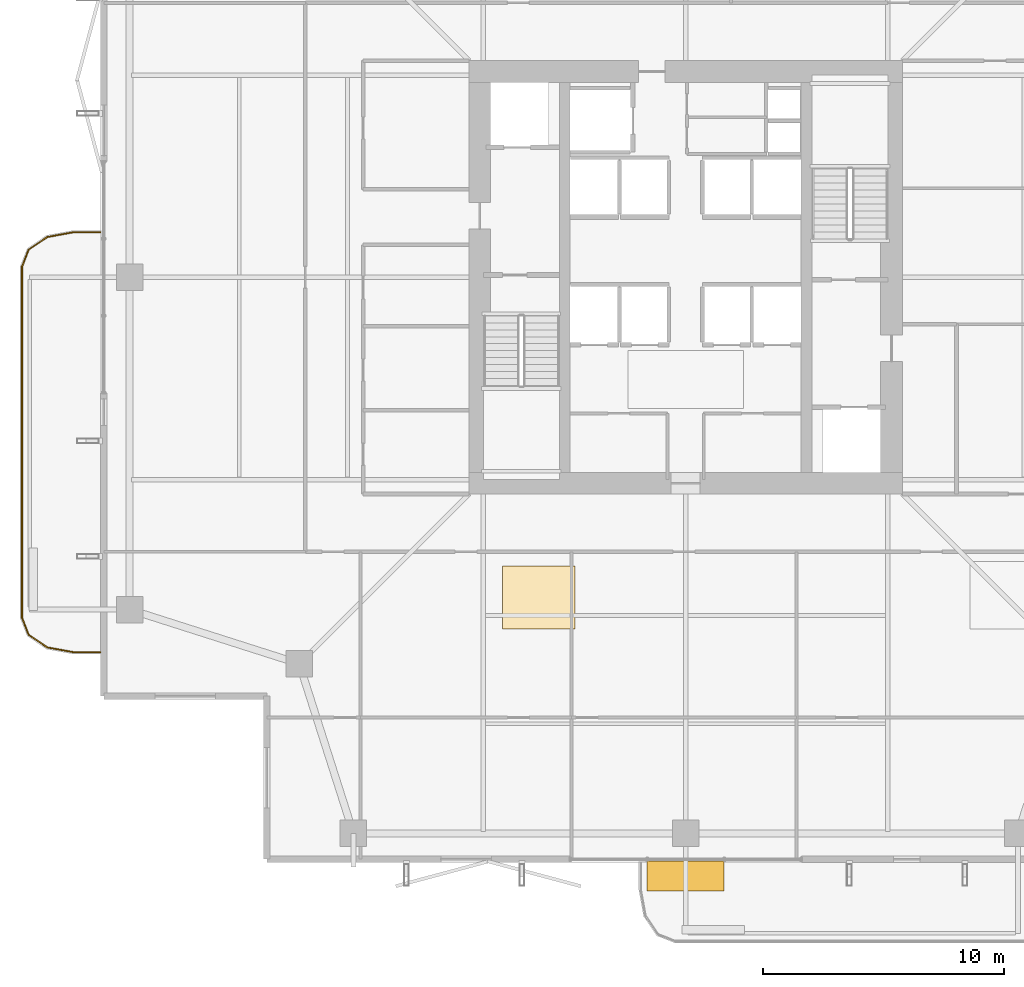
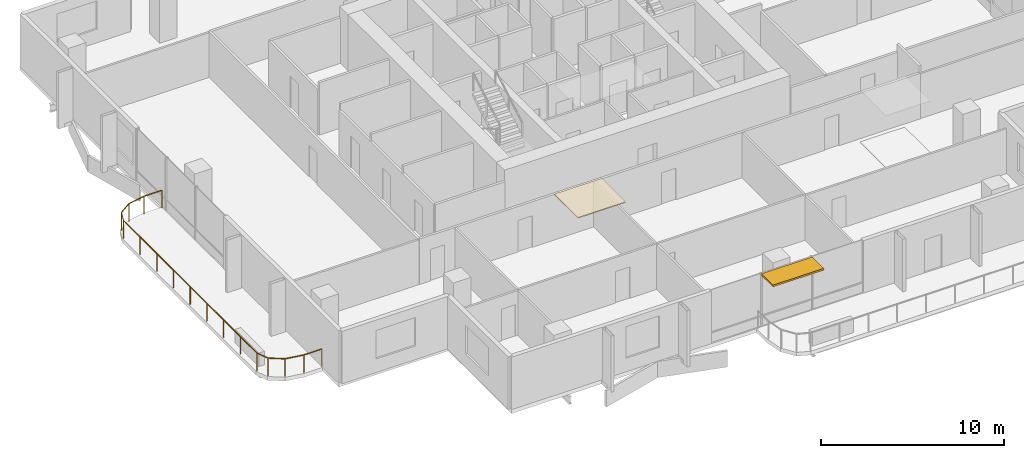
# One storey, part 22 of 25: 1 covering, 1 railing, 1 shading device.
"""IFC4 building model written with IfcOpenShell, lengths in metres."""

from ifc_helpers import new_model, si_unit, direction, frame, origin, origin_2d, place, context, subcontext, project, spatial, polyline, rectangle, outline, extrude, material, layer, layer_set, type_object, element, save


model = new_model("IFC4")

# Units and contexts
model_context = context("Model", 3, precision=1e-05, world=origin(), true_north=direction((0.0, 1.0)))
body_context = subcontext(model_context, "Body", "Model", "MODEL_VIEW")
ifc_project = project(units=[si_unit("LENGTHUNIT", "METRE"), si_unit("AREAUNIT", "SQUARE_METRE"), si_unit("VOLUMEUNIT", "CUBIC_METRE"), si_unit("PLANEANGLEUNIT", "RADIAN"), si_unit("MASSUNIT", "GRAM", prefix="KILO")], contexts=[model_context])

# Site, building, storey
site_placement = place(None, origin())
site = spatial("IfcSite", under=ifc_project, at=site_placement, CompositionType="ELEMENT")
building_placement = place(site_placement, origin())
building = spatial("IfcBuilding", under=site, at=building_placement, Name="Belovzor Exchange Tower", CompositionType="ELEMENT")
storey_placement = place(building_placement, frame((0.0, 0.0, 187.050048828125)))
storey = spatial("IfcBuildingStorey", under=building, at=storey_placement, Name="L46", CompositionType="ELEMENT", Elevation=187.050048828125)

# Railing
ifc_material_1 = material(Name="Stainless Steel and Laminated Safety Glass", Category="steel")
railing_type = type_object("IfcRailingType", Name="Laminated Glass & Stainless Steel Balcony Balustrade 1200", PredefinedType="BALUSTRADE", material=ifc_material_1)
railing_placement = place(storey_placement, frame((4.489990234375, 30.669921875, 0.0)))
element("IfcRailing", 1, at=railing_placement, inside=storey, type_object=railing_type, Name="GR-1 Balcony Balustrade L46 West", PredefinedType="BALUSTRADE", context=body_context, shape_type="SweptSolid", body=[
    extrude(rectangle(XDim=0.048095703125, YDim=0.048095703125, at=origin_2d()), frame((0.0, 0.0, 1.17578125), z_axis=(-1.0, 0.0, 0.0), x_axis=(0.0, -1.0, 0.0)), (0.0, 0.0, 1.0), 1.133056640625),
    extrude(rectangle(XDim=0.048095703125, YDim=0.048095703125, at=origin_2d()), frame((-1.133056640625, 0.0, 1.17578125), z_axis=(-0.983644145941, -0.180122719713, 0.0), x_axis=(0.180122719713, -0.983644145941, 0.0)), (0.0, 0.0, 1.0), 1.09375),
    extrude(rectangle(XDim=0.048095703125, YDim=0.048095703125, at=origin_2d()), frame((-2.208984375, -0.197021484375, 1.17578125), z_axis=(-0.826614792125, -0.562768145367, 0.0), x_axis=(0.562768145367, -0.826614792125, 0.0)), (0.0, 0.0, 1.0), 0.9326171875),
    extrude(rectangle(XDim=0.048095703125, YDim=0.048095703125, at=origin_2d()), frame((-2.97998046875, -0.721923828125, 1.17578125), z_axis=(-0.365612923861, -0.930766990125, 0.0), x_axis=(0.930766990125, -0.365612923861, 0.0)), (0.0, 0.0, 1.0), 0.765869140625),
    extrude(rectangle(XDim=0.048095703125, YDim=0.048095703125, at=origin_2d()), frame((-3.260009765625, -1.434814453125, 1.17578125), z_axis=(0.0, -1.0, 0.0), x_axis=(1.0, 0.0, 0.0)), (0.0, 0.0, 1.0), 14.570068359375),
    extrude(rectangle(XDim=0.048095703125, YDim=0.048095703125, at=origin_2d()), frame((-3.260009765625, -16.0048828125, 1.17578125), z_axis=(0.365504480807, -0.930809580156, 0.0), x_axis=(0.930809580156, 0.365504480807, 0.0)), (0.0, 0.0, 1.0), 0.76611328125),
    extrude(rectangle(XDim=0.048095703125, YDim=0.048095703125, at=origin_2d()), frame((-2.97998046875, -16.718017578125, 1.17578125), z_axis=(0.826614792125, -0.562768145367, 0.0), x_axis=(0.562768145367, 0.826614792125, 0.0)), (0.0, 0.0, 1.0), 0.9326171875),
    extrude(rectangle(XDim=0.048095703125, YDim=0.048095703125, at=origin_2d()), frame((-2.208984375, -17.242919921875, 1.17578125), z_axis=(0.983644145941, -0.180122719713, 0.0), x_axis=(0.180122719713, 0.983644145941, 0.0)), (0.0, 0.0, 1.0), 1.09375),
    extrude(rectangle(XDim=0.048095703125, YDim=0.048095703125, at=origin_2d()), frame((-1.133056640625, -17.43994140625, 1.17578125), z_axis=(1.0, 0.0, 0.0), x_axis=(0.0, 1.0, 0.0)), (0.0, 0.0, 1.0), 1.133056640625),
    extrude(rectangle(XDim=0.0419921875, YDim=0.0419921875, at=origin_2d()), origin(), (0.0, 0.0, 1.0), 1.15185546875),
    extrude(rectangle(XDim=0.0419921875, YDim=0.0419921875, at=origin_2d()), frame((-1.133056640625, 0.0, 0.0)), (0.0, 0.0, 1.0), 1.15185546875),
    extrude(rectangle(XDim=0.0419921875, YDim=0.0419921875, at=origin_2d()), frame((-2.208984375, -0.197021484375, 0.0)), (0.0, 0.0, 1.0), 1.15185546875),
    extrude(rectangle(XDim=0.0419921875, YDim=0.0419921875, at=origin_2d()), frame((-2.97998046875, -0.721923828125, 0.0)), (0.0, 0.0, 1.0), 1.15185546875),
    extrude(rectangle(XDim=0.0419921875, YDim=0.0419921875, at=origin_2d()), frame((-3.260009765625, -1.434814453125, 0.0)), (0.0, 0.0, 1.0), 1.15185546875),
    extrude(rectangle(XDim=0.0419921875, YDim=0.0419921875, at=origin_2d()), frame((-3.260009765625, -3.256103515625, 0.0)), (0.0, 0.0, 1.0), 1.15185546875),
    extrude(rectangle(XDim=0.0419921875, YDim=0.0419921875, at=origin_2d()), frame((-3.260009765625, -5.077392578125, 0.0)), (0.0, 0.0, 1.0), 1.15185546875),
    extrude(rectangle(XDim=0.0419921875, YDim=0.0419921875, at=origin_2d()), frame((-3.260009765625, -6.898681640625, 0.0)), (0.0, 0.0, 1.0), 1.15185546875),
    extrude(rectangle(XDim=0.0419921875, YDim=0.0419921875, at=origin_2d()), frame((-3.260009765625, -8.7197265625, 0.0)), (0.0, 0.0, 1.0), 1.15185546875),
    extrude(rectangle(XDim=0.0419921875, YDim=0.0419921875, at=origin_2d()), frame((-3.260009765625, -10.541015625, 0.0)), (0.0, 0.0, 1.0), 1.15185546875),
    extrude(rectangle(XDim=0.0419921875, YDim=0.0419921875, at=origin_2d()), frame((-3.260009765625, -12.3623046875, 0.0)), (0.0, 0.0, 1.0), 1.15185546875),
    extrude(rectangle(XDim=0.0419921875, YDim=0.0419921875, at=origin_2d()), frame((-3.260009765625, -14.18359375, 0.0)), (0.0, 0.0, 1.0), 1.15185546875),
    extrude(rectangle(XDim=0.0419921875, YDim=0.0419921875, at=origin_2d()), frame((-3.260009765625, -16.0048828125, 0.0)), (0.0, 0.0, 1.0), 1.15185546875),
    extrude(rectangle(XDim=0.0419921875, YDim=0.0419921875, at=origin_2d()), frame((-2.97998046875, -16.718017578125, 0.0)), (0.0, 0.0, 1.0), 1.15185546875),
    extrude(rectangle(XDim=0.0419921875, YDim=0.0419921875, at=origin_2d()), frame((-2.208984375, -17.242919921875, 0.0)), (0.0, 0.0, 1.0), 1.15185546875),
    extrude(rectangle(XDim=0.0419921875, YDim=0.0419921875, at=origin_2d()), frame((-1.133056640625, -17.43994140625, 0.0)), (0.0, 0.0, 1.0), 1.15185546875),
    extrude(rectangle(XDim=0.0419921875, YDim=0.0419921875, at=origin_2d()), frame((0.0, -17.43994140625, 0.0)), (0.0, 0.0, 1.0), 1.15185546875),
])

# Covering
ifc_material_2 = material(Name="Perforated Powder-Coated Aluminium", Category="aluminium")
ifc_layer_1 = layer(ifc_material_2, 0.06005859375)
ifc_layer_set_1 = layer_set([ifc_layer_1], Name="Perforated Powder-Coated Aluminium")
covering_type = type_object("IfcCoveringType", Name="Perforated Acoustic Metal Tile Suspended Ceiling 60", PredefinedType="CEILING", material=ifc_layer_set_1)
covering_placement = place(storey_placement, frame((0.0, 0.0, 3.43505859375)))
element("IfcCovering", 2, at=covering_placement, inside=storey, type_object=covering_type, Name="CLG-AC60 Suspended Ceiling CLG-L46-Z0", PredefinedType="CEILING", context=body_context, shape_type="SweptSolid", body=[
    extrude(outline(polyline([(21.199951171875, 14.199951171875), (24.199951171875, 14.199951171875), (24.199951171875, 16.800048828125), (21.199951171875, 16.800048828125), (21.199951171875, 14.199951171875)])), origin(), (0.0, 0.0, 1.0), 0.059814453125),
])

# Shading device
ifc_material_3 = material(Name="Extruded Architectural Terracotta", Category="masonry")
ifc_layer_2 = layer(ifc_material_3, 0.1201171875)
ifc_layer_set_2 = layer_set([ifc_layer_2], Name="Extruded Architectural Terracotta")
shading_device_type = type_object("IfcShadingDeviceType", Name="Streamline Terracotta Horizontal Sunshade Hood 1250", PredefinedType="AWNING", material=ifc_layer_set_2)
shading_device_placement = place(storey_placement, frame((28.800048828125, 3.93505859375, 3.375), z_axis=(0.0, 0.0, 1.0), x_axis=(1.0, 0.0, 0.0)))
element("IfcShadingDevice", 3, at=shading_device_placement, inside=storey, type_object=shading_device_type, Name="SHD-TC125 Terracotta Sunshade L46 S", PredefinedType="AWNING", context=body_context, shape_type="SweptSolid", body=[
    extrude(rectangle(XDim=3.199951171875, YDim=1.25, at=origin_2d()), origin(), (0.0, 0.0, 1.0), 0.1201171875),
])

save(model, "model.ifc")
